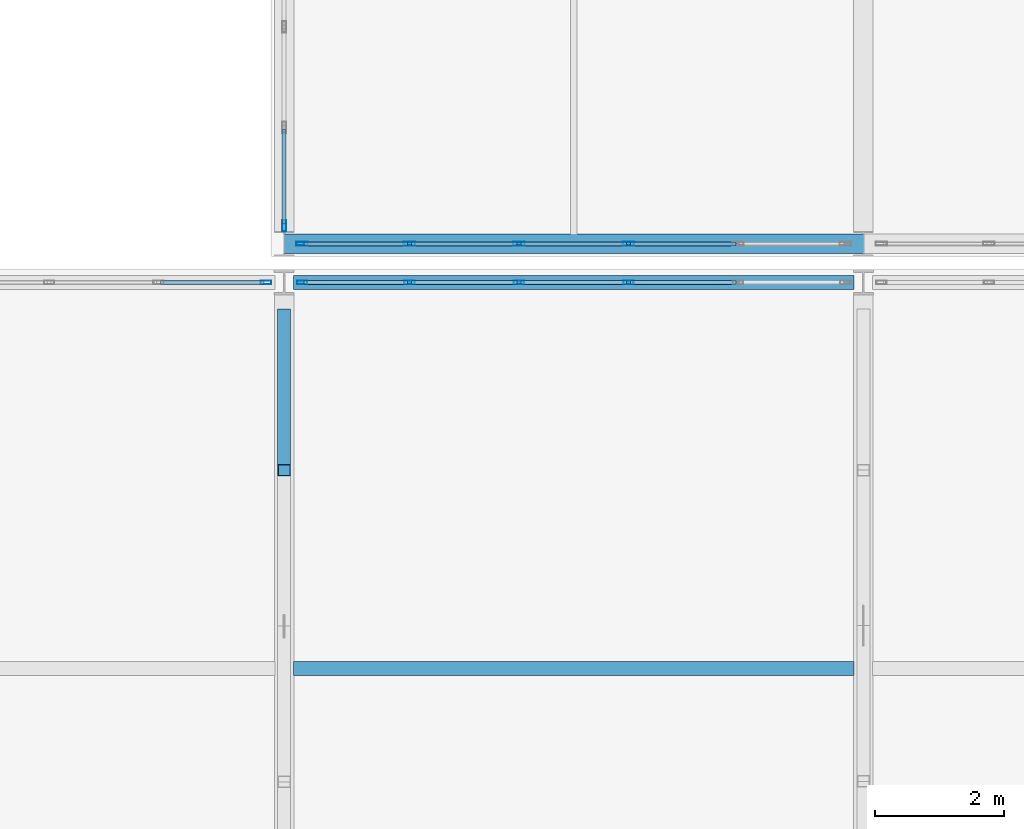
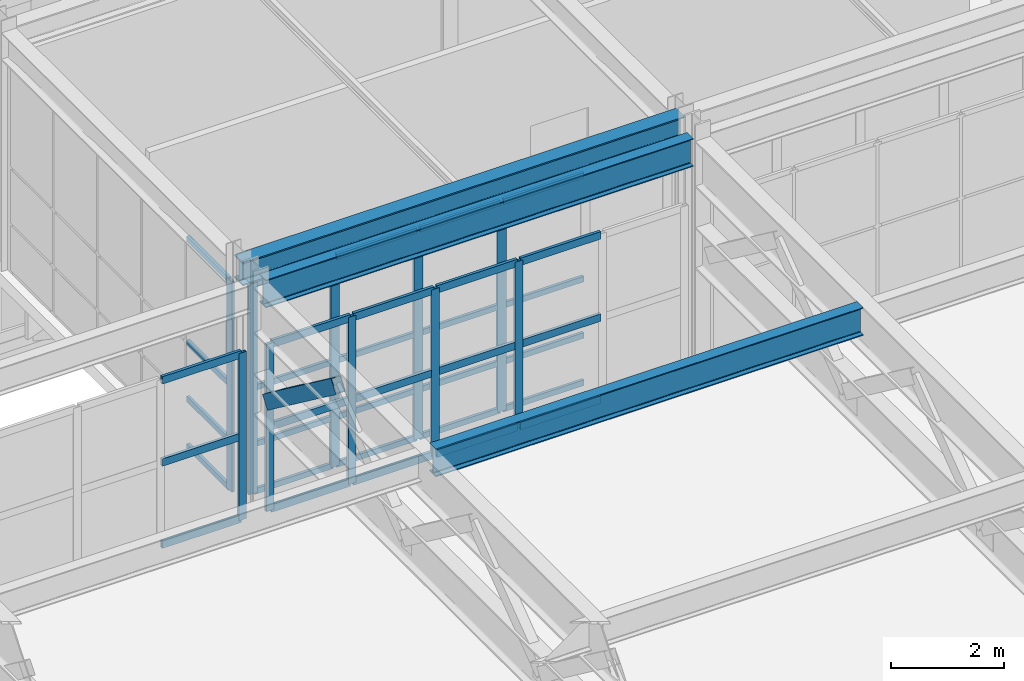
# One storey, part 32 of 210: 46 members, 3 beams, 4 elements without a shape of their own.
"""IFC4 building model written with IfcOpenShell, lengths in metres."""

from ifc_helpers import new_model, si_unit, direction, frame, origin, origin_2d, place, context, subcontext, project, spatial, hollow_rectangle, i_section, extrude, material, material_profile, profile_set, type_object, element, aggregate, save


model = new_model("IFC4")

# Units and contexts
model_context = context("Model", 3, precision=1e-05, world=origin(), true_north=direction((0.0, 1.0)))
body_context = subcontext(model_context, "Body", "Model", "MODEL_VIEW")
ifc_project = project(units=[si_unit("LENGTHUNIT", "METRE"), si_unit("AREAUNIT", "SQUARE_METRE"), si_unit("VOLUMEUNIT", "CUBIC_METRE"), si_unit("PLANEANGLEUNIT", "RADIAN"), si_unit("MASSUNIT", "GRAM", prefix="KILO")], contexts=[model_context])

# Site, building, storey
site_placement = place(None, origin())
site = spatial("IfcSite", under=ifc_project, at=site_placement, CompositionType="ELEMENT")
building_placement = place(site_placement, origin())
building = spatial("IfcBuilding", under=site, at=building_placement, Name="Kaldris Quays Convention Centre", CompositionType="ELEMENT")
storey_placement = place(building_placement, frame((0.0, 0.0, 6.0)))
storey = spatial("IfcBuildingStorey", under=building, at=storey_placement, Name="L01", CompositionType="ELEMENT", Elevation=6.0)

# Curtain wall, member
ifc_material_1 = material(Name="Anodized aluminium AW-6060 and triple glazing", Category="aluminium")
curtain_wall_type_1 = type_object("IfcCurtainWallType", Name="UNITISED CURTAIN WALL CW05", PredefinedType="NOTDEFINED", material=ifc_material_1)
curtain_wall_1_placement = place(storey_placement, origin())
curtain_wall_1 = element("IfcCurtainWall", 1, at=curtain_wall_1_placement, inside=storey, type_object=curtain_wall_type_1, Name="L01 Unitised Curtain Wall CW05 60", PredefinedType="NOTDEFINED")
ifc_material_2 = material(Name="Anodized aluminium AW-6060", Category="aluminium")
ifc_material_profile_1 = material_profile(ifc_material_2, hollow_rectangle(XDim=0.06005859375, YDim=0.159912109375, WallThickness=0.00390625, at=origin_2d()), Name="RHS 160x60x4")
ifc_profile_set_1 = profile_set([ifc_material_profile_1], Name="Anodized aluminium AW-6060")
member_type_1 = type_object("IfcMemberType", Name="CURTAIN MULLION CWM1", PredefinedType="MULLION", material=ifc_profile_set_1)
member_1_placement = place(storey_placement, frame((28.719970703125, 46.0, 0.0), z_axis=(0.0, 0.0, 1.0), x_axis=(0.0, 1.0, 0.0)))
member_1 = element("IfcMember", 2, at=member_1_placement, type_object=member_type_1, Name="CW05 mullion 6", PredefinedType="MULLION", context=body_context, shape_type="SweptSolid", body=[
    extrude(hollow_rectangle(XDim=0.06005859375, YDim=0.159912109375, WallThickness=0.00390625, at=origin_2d()), origin(), (0.0, 0.0, 1.0), 3.60009765625),
])

# Curtain wall, members
curtain_wall_2_placement = place(storey_placement, origin())
curtain_wall_2 = element("IfcCurtainWall", 3, at=curtain_wall_2_placement, inside=storey, type_object=curtain_wall_type_1, Name="L01 Unitised Curtain Wall CW05 62", PredefinedType="NOTDEFINED")
member_2_placement = place(storey_placement, frame((29.280029296875, 46.0, 0.0), z_axis=(0.0, 0.0, 1.0), x_axis=(0.0, 1.0, 0.0)))
member_2 = element("IfcMember", 4, at=member_2_placement, type_object=member_type_1, Name="CW05 mullion 1", PredefinedType="MULLION", context=body_context, shape_type="SweptSolid", body=[
    extrude(hollow_rectangle(XDim=0.06005859375, YDim=0.159912109375, WallThickness=0.00390625, at=origin_2d()), origin(), (0.0, 0.0, 1.0), 3.60009765625),
])
member_3_placement = place(storey_placement, frame((30.949951171875, 46.0, 0.0), z_axis=(0.0, 0.0, 1.0), x_axis=(0.0, 1.0, 0.0)))
member_3 = element("IfcMember", 5, at=member_3_placement, type_object=member_type_1, Name="CW05 mullion 2", PredefinedType="MULLION", context=body_context, shape_type="SweptSolid", body=[
    extrude(hollow_rectangle(XDim=0.06005859375, YDim=0.159912109375, WallThickness=0.00390625, at=origin_2d()), origin(), (0.0, 0.0, 1.0), 3.60009765625),
])
member_4_placement = place(storey_placement, frame((32.64990234375, 46.0, 0.0), z_axis=(0.0, 0.0, 1.0), x_axis=(0.0, 1.0, 0.0)))
member_4 = element("IfcMember", 6, at=member_4_placement, type_object=member_type_1, Name="CW05 mullion 3", PredefinedType="MULLION", context=body_context, shape_type="SweptSolid", body=[
    extrude(hollow_rectangle(XDim=0.06005859375, YDim=0.159912109375, WallThickness=0.00390625, at=origin_2d()), origin(), (0.0, 0.0, 1.0), 3.60009765625),
])
member_5_placement = place(storey_placement, frame((34.35009765625, 46.0, 0.0), z_axis=(0.0, 0.0, 1.0), x_axis=(0.0, 1.0, 0.0)))
member_5 = element("IfcMember", 7, at=member_5_placement, type_object=member_type_1, Name="CW05 mullion 4", PredefinedType="MULLION", context=body_context, shape_type="SweptSolid", body=[
    extrude(hollow_rectangle(XDim=0.06005859375, YDim=0.159912109375, WallThickness=0.00390625, at=origin_2d()), origin(), (0.0, 0.0, 1.0), 3.60009765625),
])

curtain_wall_type_2 = type_object("IfcCurtainWallType", Name="UNITISED CURTAIN WALL CW02", PredefinedType="NOTDEFINED", material=ifc_material_1)
curtain_wall_3_placement = place(storey_placement, origin())
curtain_wall_3 = element("IfcCurtainWall", 8, at=curtain_wall_3_placement, inside=storey, type_object=curtain_wall_type_2, Name="L01 Unitised Curtain Wall CW02 90", PredefinedType="NOTDEFINED")
ifc_material_profile_2 = material_profile(ifc_material_2, hollow_rectangle(XDim=0.06005859375, YDim=0.179931640625, WallThickness=0.0048828125, at=origin_2d()), Name="RHS 180x60x5")
ifc_profile_set_2 = profile_set([ifc_material_profile_2], Name="Anodized aluminium AW-6060")
member_type_2 = type_object("IfcMemberType", Name="CURTAIN MULLION CWM2", PredefinedType="MULLION", material=ifc_profile_set_2)
member_6_placement = place(storey_placement, frame((29.280029296875, 46.60009765625, 0.0), z_axis=(0.0, 0.0, 1.0), x_axis=(0.0, 1.0, 0.0)))
member_6 = element("IfcMember", 9, at=member_6_placement, type_object=member_type_2, Name="CW02 mullion 1", PredefinedType="MULLION", context=body_context, shape_type="SweptSolid", body=[
    extrude(hollow_rectangle(XDim=0.06005859375, YDim=0.179931640625, WallThickness=0.0048828125, at=origin_2d()), origin(), (0.0, 0.0, 1.0), 4.528076171875),
])
member_7_placement = place(storey_placement, frame((30.949951171875, 46.60009765625, 0.0), z_axis=(0.0, 0.0, 1.0), x_axis=(0.0, 1.0, 0.0)))
member_7 = element("IfcMember", 10, at=member_7_placement, type_object=member_type_2, Name="CW02 mullion 2", PredefinedType="MULLION", context=body_context, shape_type="SweptSolid", body=[
    extrude(hollow_rectangle(XDim=0.06005859375, YDim=0.179931640625, WallThickness=0.0048828125, at=origin_2d()), origin(), (0.0, 0.0, 1.0), 4.528076171875),
])
member_8_placement = place(storey_placement, frame((32.64990234375, 46.60009765625, 0.0), z_axis=(0.0, 0.0, 1.0), x_axis=(0.0, 1.0, 0.0)))
member_8 = element("IfcMember", 11, at=member_8_placement, type_object=member_type_2, Name="CW02 mullion 3", PredefinedType="MULLION", context=body_context, shape_type="SweptSolid", body=[
    extrude(hollow_rectangle(XDim=0.06005859375, YDim=0.179931640625, WallThickness=0.0048828125, at=origin_2d()), origin(), (0.0, 0.0, 1.0), 4.528076171875),
])
member_9_placement = place(storey_placement, frame((34.35009765625, 46.60009765625, 0.0), z_axis=(0.0, 0.0, 1.0), x_axis=(0.0, 1.0, 0.0)))
member_9 = element("IfcMember", 12, at=member_9_placement, type_object=member_type_2, Name="CW02 mullion 4", PredefinedType="MULLION", context=body_context, shape_type="SweptSolid", body=[
    extrude(hollow_rectangle(XDim=0.06005859375, YDim=0.179931640625, WallThickness=0.0048828125, at=origin_2d()), origin(), (0.0, 0.0, 1.0), 4.528076171875),
])

# Curtain wall, member
curtain_wall_4_placement = place(storey_placement, origin())
curtain_wall_4 = element("IfcCurtainWall", 13, at=curtain_wall_4_placement, inside=storey, type_object=curtain_wall_type_2, Name="L01 Unitised Curtain Wall CW02 96", PredefinedType="NOTDEFINED")
member_10_placement = place(storey_placement, frame((29.0, 46.8798828125, 0.0), z_axis=(0.0, 0.0, 1.0), x_axis=(-1.0, 0.0, 0.0)))
member_10 = element("IfcMember", 14, at=member_10_placement, type_object=member_type_2, Name="CW02 mullion 1", PredefinedType="MULLION", context=body_context, shape_type="SweptSolid", body=[
    extrude(hollow_rectangle(XDim=0.06005859375, YDim=0.179931640625, WallThickness=0.0048828125, at=origin_2d()), origin(), (0.0, 0.0, 1.0), 4.528076171875),
])

# Member
ifc_material_profile_3 = material_profile(ifc_material_2, hollow_rectangle(XDim=0.06005859375, YDim=0.1201171875, WallThickness=0.00390625, at=origin_2d()), Name="RHS 120x60x4")
ifc_profile_set_3 = profile_set([ifc_material_profile_3], Name="Anodized aluminium AW-6060")
member_type_3 = type_object("IfcMemberType", Name="CURTAIN TRANSOM CWT1", PredefinedType="USERDEFINED", material=ifc_profile_set_3)
member_11_placement = place(storey_placement, frame((29.31005859375, 46.60009765625, 0.030029296875), z_axis=(1.0, 0.0, 0.0), x_axis=(0.0, 1.0, 0.0)))
member_11 = element("IfcMember", 15, at=member_11_placement, type_object=member_type_3, Name="CW02 transom 1.1", ObjectType="TRANSOM", PredefinedType="USERDEFINED", context=body_context, shape_type="SweptSolid", body=[
    extrude(hollow_rectangle(XDim=0.06005859375, YDim=0.1201171875, WallThickness=0.00390625, at=origin_2d()), origin(), (0.0, 0.0, 1.0), 1.60986328125),
])

member_12_placement = place(storey_placement, frame((29.31005859375, 46.60009765625, 1.050048828125), z_axis=(1.0, 0.0, 0.0), x_axis=(0.0, 1.0, 0.0)))
member_12 = element("IfcMember", 16, at=member_12_placement, type_object=member_type_3, Name="CW02 transom 1.2", ObjectType="TRANSOM", PredefinedType="USERDEFINED", context=body_context, shape_type="SweptSolid", body=[
    extrude(hollow_rectangle(XDim=0.06005859375, YDim=0.1201171875, WallThickness=0.00390625, at=origin_2d()), origin(), (0.0, 0.0, 1.0), 1.60986328125),
])

member_13_placement = place(storey_placement, frame((29.31005859375, 46.60009765625, 2.263916015625), z_axis=(1.0, 0.0, 0.0), x_axis=(0.0, 1.0, 0.0)))
member_13 = element("IfcMember", 17, at=member_13_placement, type_object=member_type_3, Name="CW02 transom 1.3", ObjectType="TRANSOM", PredefinedType="USERDEFINED", context=body_context, shape_type="SweptSolid", body=[
    extrude(hollow_rectangle(XDim=0.06005859375, YDim=0.1201171875, WallThickness=0.00390625, at=origin_2d()), origin(), (0.0, 0.0, 1.0), 1.60986328125),
])

member_14_placement = place(storey_placement, frame((29.31005859375, 46.60009765625, 4.498046875), z_axis=(1.0, 0.0, 0.0), x_axis=(0.0, 1.0, 0.0)))
member_14 = element("IfcMember", 18, at=member_14_placement, type_object=member_type_3, Name="CW02 transom 1.4", ObjectType="TRANSOM", PredefinedType="USERDEFINED", context=body_context, shape_type="SweptSolid", body=[
    extrude(hollow_rectangle(XDim=0.06005859375, YDim=0.1201171875, WallThickness=0.00390625, at=origin_2d()), origin(), (0.0, 0.0, 1.0), 1.60986328125),
])

member_15_placement = place(storey_placement, frame((30.97998046875, 46.60009765625, 0.030029296875), z_axis=(1.0, 0.0, 0.0), x_axis=(0.0, 1.0, 0.0)))
member_15 = element("IfcMember", 19, at=member_15_placement, type_object=member_type_3, Name="CW02 transom 2.1", ObjectType="TRANSOM", PredefinedType="USERDEFINED", context=body_context, shape_type="SweptSolid", body=[
    extrude(hollow_rectangle(XDim=0.06005859375, YDim=0.1201171875, WallThickness=0.00390625, at=origin_2d()), origin(), (0.0, 0.0, 1.0), 1.64013671875),
])

member_16_placement = place(storey_placement, frame((30.97998046875, 46.60009765625, 1.050048828125), z_axis=(1.0, 0.0, 0.0), x_axis=(0.0, 1.0, 0.0)))
member_16 = element("IfcMember", 20, at=member_16_placement, type_object=member_type_3, Name="CW02 transom 2.2", ObjectType="TRANSOM", PredefinedType="USERDEFINED", context=body_context, shape_type="SweptSolid", body=[
    extrude(hollow_rectangle(XDim=0.06005859375, YDim=0.1201171875, WallThickness=0.00390625, at=origin_2d()), origin(), (0.0, 0.0, 1.0), 1.64013671875),
])

member_17_placement = place(storey_placement, frame((30.97998046875, 46.60009765625, 2.263916015625), z_axis=(1.0, 0.0, 0.0), x_axis=(0.0, 1.0, 0.0)))
member_17 = element("IfcMember", 21, at=member_17_placement, type_object=member_type_3, Name="CW02 transom 2.3", ObjectType="TRANSOM", PredefinedType="USERDEFINED", context=body_context, shape_type="SweptSolid", body=[
    extrude(hollow_rectangle(XDim=0.06005859375, YDim=0.1201171875, WallThickness=0.00390625, at=origin_2d()), origin(), (0.0, 0.0, 1.0), 1.64013671875),
])

member_18_placement = place(storey_placement, frame((30.97998046875, 46.60009765625, 4.498046875), z_axis=(1.0, 0.0, 0.0), x_axis=(0.0, 1.0, 0.0)))
member_18 = element("IfcMember", 22, at=member_18_placement, type_object=member_type_3, Name="CW02 transom 2.4", ObjectType="TRANSOM", PredefinedType="USERDEFINED", context=body_context, shape_type="SweptSolid", body=[
    extrude(hollow_rectangle(XDim=0.06005859375, YDim=0.1201171875, WallThickness=0.00390625, at=origin_2d()), origin(), (0.0, 0.0, 1.0), 1.64013671875),
])

member_19_placement = place(storey_placement, frame((32.679931640625, 46.60009765625, 0.030029296875), z_axis=(1.0, 0.0, 0.0), x_axis=(0.0, 1.0, 0.0)))
member_19 = element("IfcMember", 23, at=member_19_placement, type_object=member_type_3, Name="CW02 transom 3.1", ObjectType="TRANSOM", PredefinedType="USERDEFINED", context=body_context, shape_type="SweptSolid", body=[
    extrude(hollow_rectangle(XDim=0.06005859375, YDim=0.1201171875, WallThickness=0.00390625, at=origin_2d()), origin(), (0.0, 0.0, 1.0), 1.64013671875),
])

member_20_placement = place(storey_placement, frame((32.679931640625, 46.60009765625, 1.050048828125), z_axis=(1.0, 0.0, 0.0), x_axis=(0.0, 1.0, 0.0)))
member_20 = element("IfcMember", 24, at=member_20_placement, type_object=member_type_3, Name="CW02 transom 3.2", ObjectType="TRANSOM", PredefinedType="USERDEFINED", context=body_context, shape_type="SweptSolid", body=[
    extrude(hollow_rectangle(XDim=0.06005859375, YDim=0.1201171875, WallThickness=0.00390625, at=origin_2d()), origin(), (0.0, 0.0, 1.0), 1.64013671875),
])

member_21_placement = place(storey_placement, frame((32.679931640625, 46.60009765625, 2.263916015625), z_axis=(1.0, 0.0, 0.0), x_axis=(0.0, 1.0, 0.0)))
member_21 = element("IfcMember", 25, at=member_21_placement, type_object=member_type_3, Name="CW02 transom 3.3", ObjectType="TRANSOM", PredefinedType="USERDEFINED", context=body_context, shape_type="SweptSolid", body=[
    extrude(hollow_rectangle(XDim=0.06005859375, YDim=0.1201171875, WallThickness=0.00390625, at=origin_2d()), origin(), (0.0, 0.0, 1.0), 1.64013671875),
])

member_22_placement = place(storey_placement, frame((32.679931640625, 46.60009765625, 4.498046875), z_axis=(1.0, 0.0, 0.0), x_axis=(0.0, 1.0, 0.0)))
member_22 = element("IfcMember", 26, at=member_22_placement, type_object=member_type_3, Name="CW02 transom 3.4", ObjectType="TRANSOM", PredefinedType="USERDEFINED", context=body_context, shape_type="SweptSolid", body=[
    extrude(hollow_rectangle(XDim=0.06005859375, YDim=0.1201171875, WallThickness=0.00390625, at=origin_2d()), origin(), (0.0, 0.0, 1.0), 1.64013671875),
])

member_23_placement = place(storey_placement, frame((34.3798828125, 46.60009765625, 0.030029296875), z_axis=(1.0, 0.0, 0.0), x_axis=(0.0, 1.0, 0.0)))
member_23 = element("IfcMember", 27, at=member_23_placement, type_object=member_type_3, Name="CW02 transom 4.1", ObjectType="TRANSOM", PredefinedType="USERDEFINED", context=body_context, shape_type="SweptSolid", body=[
    extrude(hollow_rectangle(XDim=0.06005859375, YDim=0.1201171875, WallThickness=0.00390625, at=origin_2d()), origin(), (0.0, 0.0, 1.0), 1.64013671875),
])

member_24_placement = place(storey_placement, frame((34.3798828125, 46.60009765625, 1.050048828125), z_axis=(1.0, 0.0, 0.0), x_axis=(0.0, 1.0, 0.0)))
member_24 = element("IfcMember", 28, at=member_24_placement, type_object=member_type_3, Name="CW02 transom 4.2", ObjectType="TRANSOM", PredefinedType="USERDEFINED", context=body_context, shape_type="SweptSolid", body=[
    extrude(hollow_rectangle(XDim=0.06005859375, YDim=0.1201171875, WallThickness=0.00390625, at=origin_2d()), origin(), (0.0, 0.0, 1.0), 1.64013671875),
])

member_25_placement = place(storey_placement, frame((34.3798828125, 46.60009765625, 2.263916015625), z_axis=(1.0, 0.0, 0.0), x_axis=(0.0, 1.0, 0.0)))
member_25 = element("IfcMember", 29, at=member_25_placement, type_object=member_type_3, Name="CW02 transom 4.3", ObjectType="TRANSOM", PredefinedType="USERDEFINED", context=body_context, shape_type="SweptSolid", body=[
    extrude(hollow_rectangle(XDim=0.06005859375, YDim=0.1201171875, WallThickness=0.00390625, at=origin_2d()), origin(), (0.0, 0.0, 1.0), 1.64013671875),
])

member_26_placement = place(storey_placement, frame((34.3798828125, 46.60009765625, 4.498046875), z_axis=(1.0, 0.0, 0.0), x_axis=(0.0, 1.0, 0.0)))
member_26 = element("IfcMember", 30, at=member_26_placement, type_object=member_type_3, Name="CW02 transom 4.4", ObjectType="TRANSOM", PredefinedType="USERDEFINED", context=body_context, shape_type="SweptSolid", body=[
    extrude(hollow_rectangle(XDim=0.06005859375, YDim=0.1201171875, WallThickness=0.00390625, at=origin_2d()), origin(), (0.0, 0.0, 1.0), 1.64013671875),
])

aggregate(curtain_wall_3, [member_6, member_7, member_8, member_9, member_11, member_12, member_13, member_14, member_15, member_16, member_17, member_18, member_19, member_20, member_21, member_22, member_23, member_24, member_25, member_26])

member_27_placement = place(storey_placement, frame((29.0, 46.909912109375, 0.030029296875), z_axis=(0.0, 1.0, 0.0), x_axis=(-1.0, 0.0, 0.0)))
member_27 = element("IfcMember", 31, at=member_27_placement, type_object=member_type_3, Name="CW02 transom 1.1", ObjectType="TRANSOM", PredefinedType="USERDEFINED", context=body_context, shape_type="SweptSolid", body=[
    extrude(hollow_rectangle(XDim=0.06005859375, YDim=0.1201171875, WallThickness=0.00390625, at=origin_2d()), origin(), (0.0, 0.0, 1.0), 1.469970703125),
])

member_28_placement = place(storey_placement, frame((29.0, 46.909912109375, 1.050048828125), z_axis=(0.0, 1.0, 0.0), x_axis=(-1.0, 0.0, 0.0)))
member_28 = element("IfcMember", 32, at=member_28_placement, type_object=member_type_3, Name="CW02 transom 1.2", ObjectType="TRANSOM", PredefinedType="USERDEFINED", context=body_context, shape_type="SweptSolid", body=[
    extrude(hollow_rectangle(XDim=0.06005859375, YDim=0.1201171875, WallThickness=0.00390625, at=origin_2d()), origin(), (0.0, 0.0, 1.0), 1.469970703125),
])

member_29_placement = place(storey_placement, frame((29.0, 46.909912109375, 2.263916015625), z_axis=(0.0, 1.0, 0.0), x_axis=(-1.0, 0.0, 0.0)))
member_29 = element("IfcMember", 33, at=member_29_placement, type_object=member_type_3, Name="CW02 transom 1.3", ObjectType="TRANSOM", PredefinedType="USERDEFINED", context=body_context, shape_type="SweptSolid", body=[
    extrude(hollow_rectangle(XDim=0.06005859375, YDim=0.1201171875, WallThickness=0.00390625, at=origin_2d()), origin(), (0.0, 0.0, 1.0), 1.469970703125),
])

member_30_placement = place(storey_placement, frame((29.0, 46.909912109375, 4.498046875), z_axis=(0.0, 1.0, 0.0), x_axis=(-1.0, 0.0, 0.0)))
member_30 = element("IfcMember", 34, at=member_30_placement, type_object=member_type_3, Name="CW02 transom 1.4", ObjectType="TRANSOM", PredefinedType="USERDEFINED", context=body_context, shape_type="SweptSolid", body=[
    extrude(hollow_rectangle(XDim=0.06005859375, YDim=0.1201171875, WallThickness=0.00390625, at=origin_2d()), origin(), (0.0, 0.0, 1.0), 1.469970703125),
])

aggregate(curtain_wall_4, [member_10, member_27, member_28, member_29, member_30])

ifc_material_profile_4 = material_profile(ifc_material_2, hollow_rectangle(XDim=0.06005859375, YDim=0.159912109375, WallThickness=0.00390625, at=origin_2d()), Name="RHS 160x60x4")
ifc_profile_set_4 = profile_set([ifc_material_profile_4], Name="Anodized aluminium AW-6060")
member_type_4 = type_object("IfcMemberType", Name="CURTAIN TRANSOM CWT2", PredefinedType="USERDEFINED", material=ifc_profile_set_4)
member_31_placement = place(storey_placement, frame((27.080078125, 46.0, 0.030029296875), z_axis=(1.0, 0.0, 0.0), x_axis=(0.0, 1.0, 0.0)))
member_31 = element("IfcMember", 35, at=member_31_placement, type_object=member_type_4, Name="CW05 transom 5.1", ObjectType="TRANSOM", PredefinedType="USERDEFINED", context=body_context, shape_type="SweptSolid", body=[
    extrude(hollow_rectangle(XDim=0.06005859375, YDim=0.159912109375, WallThickness=0.00390625, at=origin_2d()), origin(), (0.0, 0.0, 1.0), 1.60986328125),
])

member_32_placement = place(storey_placement, frame((27.080078125, 46.0, 1.800048828125), z_axis=(1.0, 0.0, 0.0), x_axis=(0.0, 1.0, 0.0)))
member_32 = element("IfcMember", 36, at=member_32_placement, type_object=member_type_4, Name="CW05 transom 5.2", ObjectType="TRANSOM", PredefinedType="USERDEFINED", context=body_context, shape_type="SweptSolid", body=[
    extrude(hollow_rectangle(XDim=0.06005859375, YDim=0.159912109375, WallThickness=0.00390625, at=origin_2d()), origin(), (0.0, 0.0, 1.0), 1.60986328125),
])

member_33_placement = place(storey_placement, frame((27.080078125, 46.0, 3.570068359375), z_axis=(1.0, 0.0, 0.0), x_axis=(0.0, 1.0, 0.0)))
member_33 = element("IfcMember", 37, at=member_33_placement, type_object=member_type_4, Name="CW05 transom 5.3", ObjectType="TRANSOM", PredefinedType="USERDEFINED", context=body_context, shape_type="SweptSolid", body=[
    extrude(hollow_rectangle(XDim=0.06005859375, YDim=0.159912109375, WallThickness=0.00390625, at=origin_2d()), origin(), (0.0, 0.0, 1.0), 1.60986328125),
])

aggregate(curtain_wall_1, [member_1, member_31, member_32, member_33])

member_34_placement = place(storey_placement, frame((29.31005859375, 46.0, 0.030029296875), z_axis=(1.0, 0.0, 0.0), x_axis=(0.0, 1.0, 0.0)))
member_34 = element("IfcMember", 38, at=member_34_placement, type_object=member_type_4, Name="CW05 transom 1.1", ObjectType="TRANSOM", PredefinedType="USERDEFINED", context=body_context, shape_type="SweptSolid", body=[
    extrude(hollow_rectangle(XDim=0.06005859375, YDim=0.159912109375, WallThickness=0.00390625, at=origin_2d()), origin(), (0.0, 0.0, 1.0), 1.60986328125),
])

member_35_placement = place(storey_placement, frame((29.31005859375, 46.0, 1.800048828125), z_axis=(1.0, 0.0, 0.0), x_axis=(0.0, 1.0, 0.0)))
member_35 = element("IfcMember", 39, at=member_35_placement, type_object=member_type_4, Name="CW05 transom 1.2", ObjectType="TRANSOM", PredefinedType="USERDEFINED", context=body_context, shape_type="SweptSolid", body=[
    extrude(hollow_rectangle(XDim=0.06005859375, YDim=0.159912109375, WallThickness=0.00390625, at=origin_2d()), origin(), (0.0, 0.0, 1.0), 1.60986328125),
])

member_36_placement = place(storey_placement, frame((29.31005859375, 46.0, 3.570068359375), z_axis=(1.0, 0.0, 0.0), x_axis=(0.0, 1.0, 0.0)))
member_36 = element("IfcMember", 40, at=member_36_placement, type_object=member_type_4, Name="CW05 transom 1.3", ObjectType="TRANSOM", PredefinedType="USERDEFINED", context=body_context, shape_type="SweptSolid", body=[
    extrude(hollow_rectangle(XDim=0.06005859375, YDim=0.159912109375, WallThickness=0.00390625, at=origin_2d()), origin(), (0.0, 0.0, 1.0), 1.60986328125),
])

member_37_placement = place(storey_placement, frame((30.97998046875, 46.0, 0.030029296875), z_axis=(1.0, 0.0, 0.0), x_axis=(0.0, 1.0, 0.0)))
member_37 = element("IfcMember", 41, at=member_37_placement, type_object=member_type_4, Name="CW05 transom 2.1", ObjectType="TRANSOM", PredefinedType="USERDEFINED", context=body_context, shape_type="SweptSolid", body=[
    extrude(hollow_rectangle(XDim=0.06005859375, YDim=0.159912109375, WallThickness=0.00390625, at=origin_2d()), origin(), (0.0, 0.0, 1.0), 1.64013671875),
])

member_38_placement = place(storey_placement, frame((30.97998046875, 46.0, 1.800048828125), z_axis=(1.0, 0.0, 0.0), x_axis=(0.0, 1.0, 0.0)))
member_38 = element("IfcMember", 42, at=member_38_placement, type_object=member_type_4, Name="CW05 transom 2.2", ObjectType="TRANSOM", PredefinedType="USERDEFINED", context=body_context, shape_type="SweptSolid", body=[
    extrude(hollow_rectangle(XDim=0.06005859375, YDim=0.159912109375, WallThickness=0.00390625, at=origin_2d()), origin(), (0.0, 0.0, 1.0), 1.64013671875),
])

member_39_placement = place(storey_placement, frame((30.97998046875, 46.0, 3.570068359375), z_axis=(1.0, 0.0, 0.0), x_axis=(0.0, 1.0, 0.0)))
member_39 = element("IfcMember", 43, at=member_39_placement, type_object=member_type_4, Name="CW05 transom 2.3", ObjectType="TRANSOM", PredefinedType="USERDEFINED", context=body_context, shape_type="SweptSolid", body=[
    extrude(hollow_rectangle(XDim=0.06005859375, YDim=0.159912109375, WallThickness=0.00390625, at=origin_2d()), origin(), (0.0, 0.0, 1.0), 1.64013671875),
])

member_40_placement = place(storey_placement, frame((32.679931640625, 46.0, 0.030029296875), z_axis=(1.0, 0.0, 0.0), x_axis=(0.0, 1.0, 0.0)))
member_40 = element("IfcMember", 44, at=member_40_placement, type_object=member_type_4, Name="CW05 transom 3.1", ObjectType="TRANSOM", PredefinedType="USERDEFINED", context=body_context, shape_type="SweptSolid", body=[
    extrude(hollow_rectangle(XDim=0.06005859375, YDim=0.159912109375, WallThickness=0.00390625, at=origin_2d()), origin(), (0.0, 0.0, 1.0), 1.64013671875),
])

member_41_placement = place(storey_placement, frame((32.679931640625, 46.0, 1.800048828125), z_axis=(1.0, 0.0, 0.0), x_axis=(0.0, 1.0, 0.0)))
member_41 = element("IfcMember", 45, at=member_41_placement, type_object=member_type_4, Name="CW05 transom 3.2", ObjectType="TRANSOM", PredefinedType="USERDEFINED", context=body_context, shape_type="SweptSolid", body=[
    extrude(hollow_rectangle(XDim=0.06005859375, YDim=0.159912109375, WallThickness=0.00390625, at=origin_2d()), origin(), (0.0, 0.0, 1.0), 1.64013671875),
])

member_42_placement = place(storey_placement, frame((32.679931640625, 46.0, 3.570068359375), z_axis=(1.0, 0.0, 0.0), x_axis=(0.0, 1.0, 0.0)))
member_42 = element("IfcMember", 46, at=member_42_placement, type_object=member_type_4, Name="CW05 transom 3.3", ObjectType="TRANSOM", PredefinedType="USERDEFINED", context=body_context, shape_type="SweptSolid", body=[
    extrude(hollow_rectangle(XDim=0.06005859375, YDim=0.159912109375, WallThickness=0.00390625, at=origin_2d()), origin(), (0.0, 0.0, 1.0), 1.64013671875),
])

member_43_placement = place(storey_placement, frame((34.3798828125, 46.0, 0.030029296875), z_axis=(1.0, 0.0, 0.0), x_axis=(0.0, 1.0, 0.0)))
member_43 = element("IfcMember", 47, at=member_43_placement, type_object=member_type_4, Name="CW05 transom 4.1", ObjectType="TRANSOM", PredefinedType="USERDEFINED", context=body_context, shape_type="SweptSolid", body=[
    extrude(hollow_rectangle(XDim=0.06005859375, YDim=0.159912109375, WallThickness=0.00390625, at=origin_2d()), origin(), (0.0, 0.0, 1.0), 1.64013671875),
])

member_44_placement = place(storey_placement, frame((34.3798828125, 46.0, 1.800048828125), z_axis=(1.0, 0.0, 0.0), x_axis=(0.0, 1.0, 0.0)))
member_44 = element("IfcMember", 48, at=member_44_placement, type_object=member_type_4, Name="CW05 transom 4.2", ObjectType="TRANSOM", PredefinedType="USERDEFINED", context=body_context, shape_type="SweptSolid", body=[
    extrude(hollow_rectangle(XDim=0.06005859375, YDim=0.159912109375, WallThickness=0.00390625, at=origin_2d()), origin(), (0.0, 0.0, 1.0), 1.64013671875),
])

member_45_placement = place(storey_placement, frame((34.3798828125, 46.0, 3.570068359375), z_axis=(1.0, 0.0, 0.0), x_axis=(0.0, 1.0, 0.0)))
member_45 = element("IfcMember", 49, at=member_45_placement, type_object=member_type_4, Name="CW05 transom 4.3", ObjectType="TRANSOM", PredefinedType="USERDEFINED", context=body_context, shape_type="SweptSolid", body=[
    extrude(hollow_rectangle(XDim=0.06005859375, YDim=0.159912109375, WallThickness=0.00390625, at=origin_2d()), origin(), (0.0, 0.0, 1.0), 1.64013671875),
])

aggregate(curtain_wall_2, [member_2, member_3, member_4, member_5, member_34, member_35, member_36, member_37, member_38, member_39, member_40, member_41, member_42, member_43, member_44, member_45])

# Beams
ifc_material_3 = material(Name="Steel S355J2", Category="steel")
ifc_material_profile_5 = material_profile(ifc_material_3, i_section(OverallWidth=0.300048828125, OverallDepth=0.5, WebThickness=0.014404296875, FlangeThickness=0.028076171875, FilletRadius=0.027099609375, at=origin_2d()), Name="HEB 500")
ifc_profile_set_5 = profile_set([ifc_material_profile_5], Name="Steel S355J2")
beam_type_1 = type_object("IfcBeamType", Name="STRUCTURAL BEAM BM06", PredefinedType="BEAM", material=ifc_profile_set_5)
beam_placement = place(storey_placement, frame((28.99951171875, 46.60009765625, 4.89306640625), z_axis=(1.0, 0.0, 0.0), x_axis=(0.0, 1.0, 0.0)))
element("IfcBeam", 50, at=beam_placement, inside=storey, type_object=beam_type_1, Name="L01 Girder BM06 1", PredefinedType="BEAM", context=body_context, shape_type="SweptSolid", body=[
    extrude(i_section(OverallWidth=0.300048828125, OverallDepth=0.5, WebThickness=0.014404296875, FlangeThickness=0.028076171875, FilletRadius=0.027099609375, at=origin_2d()), origin(), (0.0, 0.0, 1.0), 9.0009765625),
])
ifc_material_profile_6 = material_profile(ifc_material_3, i_section(OverallWidth=0.219970703125, OverallDepth=0.60009765625, WebThickness=0.011962890625, FlangeThickness=0.01904296875, FilletRadius=0.02392578125, at=origin_2d()), Name="IPE 600")
ifc_profile_set_6 = profile_set([ifc_material_profile_6], Name="Steel S355J2")
beam_type_2 = type_object("IfcBeamType", Name="STRUCTURAL BEAM BM10", PredefinedType="BEAM", material=ifc_profile_set_6)
for number, where, z_axis, x_axis, name in (
    (51, (29.14501953125, 40.0, 4.758056640625), (1.0, 0.0, 0.0), (0.0, 1.0, 0.0), "L01 Ballroom Tie Beam BM10"),
    (52, (29.14501953125, 46.0, 4.758056640625), (1.0, 0.0, 0.0), (0.0, 1.0, 0.0), "L01 Ballroom Tie Beam BM10"),
):
    element("IfcBeam", number, at=place(storey_placement, frame(where, z_axis=z_axis, x_axis=x_axis)), inside=storey, type_object=beam_type_2, Name=name, PredefinedType="BEAM", context=body_context, shape_type="SweptSolid", body=[
        extrude(i_section(OverallWidth=0.219970703125, OverallDepth=0.60009765625, WebThickness=0.011962890625, FlangeThickness=0.01904296875, FilletRadius=0.02392578125, at=origin_2d()), origin(), (0.0, 0.0, 1.0), 8.7099609375),
    ])

# Member
ifc_material_4 = material(Name="Steel S355J2H", Category="steel")
ifc_material_profile_7 = material_profile(ifc_material_4, hollow_rectangle(XDim=0.199951171875, YDim=0.300048828125, WallThickness=0.012451171875, at=origin_2d()), Name="RHS 300x200x12.5")
ifc_profile_set_7 = profile_set([ifc_material_profile_7], Name="Steel S355J2H")
member_type_5 = type_object("IfcMemberType", Name="STRUCTURAL MEMBER TTD1", PredefinedType="BRACE", material=ifc_profile_set_7)
member_46_placement = place(storey_placement, frame((29.0, 45.5, 2.75), z_axis=(0.0, -0.801084905857, 0.598550727681), x_axis=(1.0, 0.0, 0.0)))
element("IfcMember", 53, at=member_46_placement, inside=storey, type_object=member_type_5, Name="Transfer Truss TT02 Diagonal 10", PredefinedType="BRACE", context=body_context, shape_type="SweptSolid", body=[
    extrude(hollow_rectangle(XDim=0.199951171875, YDim=0.300048828125, WallThickness=0.012451171875, at=origin_2d()), origin(), (0.0, 0.0, 1.0), 3.020751953125),
])

save(model, "model.ifc")
